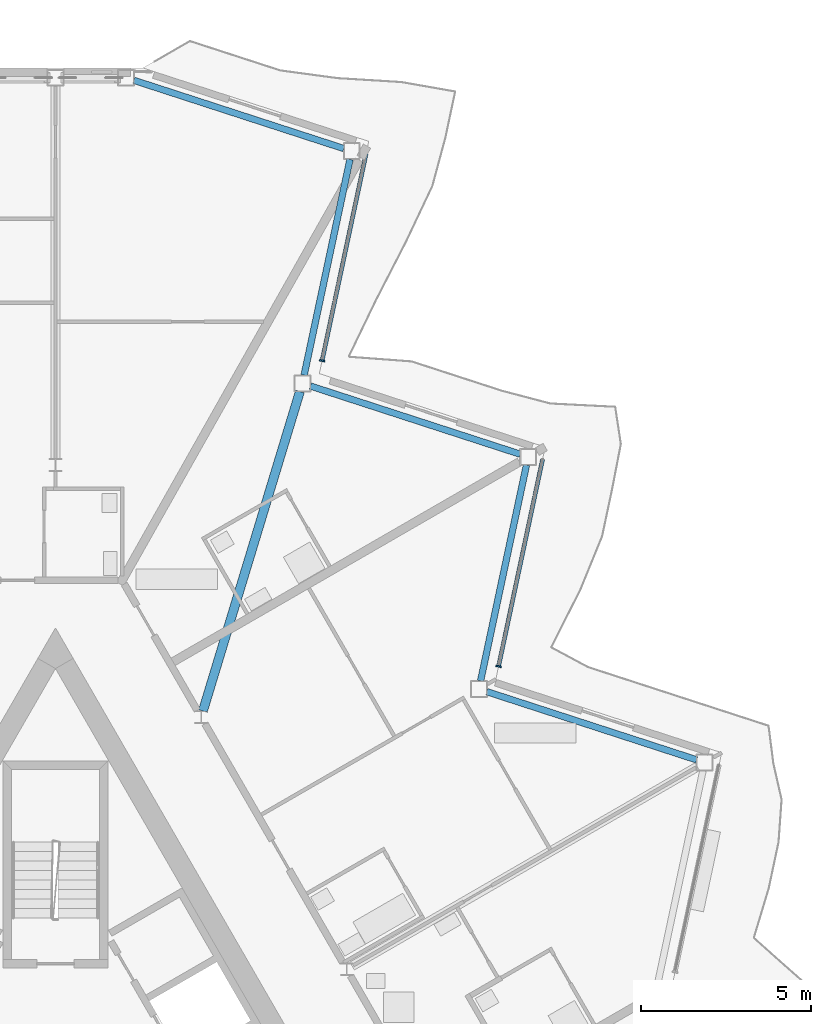
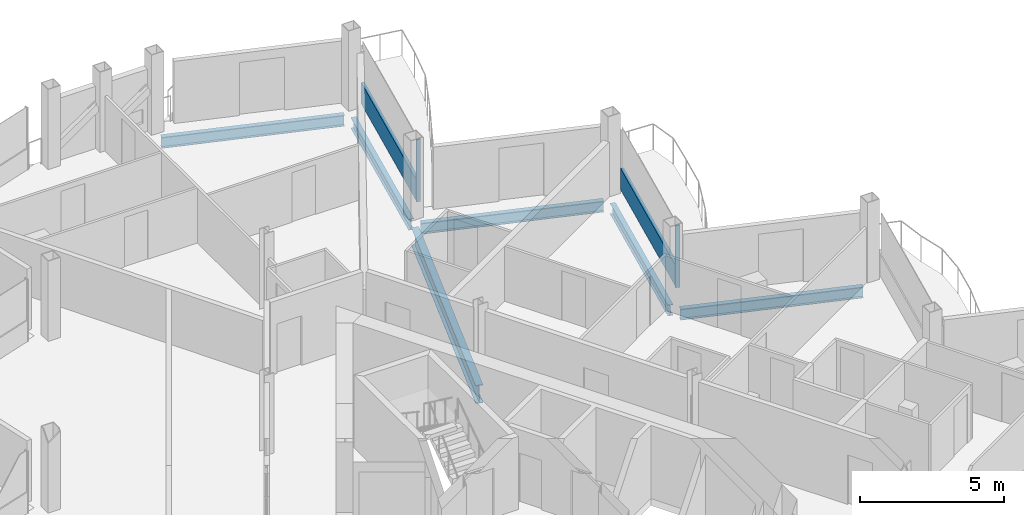
# One storey, part 10 of 26: 6 beams, 4 members, 2 elements without a shape of their own.
"""IFC4 building model written with IfcOpenShell, lengths in metres."""

import ifcopenshell
import ifcopenshell.guid

model = None  # the IFC model being written
_history = None  # IfcOwnerHistory: only IFC2X3 demands one
_inside = {}  # id of a spatial element -> (the spatial element, [elements in it])
_under = {}  # id of a project, library or spatial element -> (it, [spatial elements below it])
_declared = {}  # id of a project -> (the project, [libraries it declares])
_typed = {}  # id of a type object -> (the type object, [elements of that type])
_made_of = {}  # id of a material, layer set ... -> (it, [elements and type objects made of it])


def new_model(schema):
    """Start an empty IFC model of exactly this schema.

    Asked for "IFC4X3", IfcOpenShell would pick the latest addendum, in which some entities
    have other attributes; the version numbers below select the first issue.
    IFC2X3 requires an IfcOwnerHistory on every rooted entity: one is made here for all.
    """
    global model, _history
    if schema == "IFC4X3":
        model = ifcopenshell.file(schema_version=(4, 3, 0, 0))
    else:
        model = ifcopenshell.file(schema=schema)
    _inside.clear()
    _under.clear()
    _declared.clear()
    _typed.clear()
    _made_of.clear()
    _history = None
    if model.schema == "IFC2X3":
        org = make("IfcOrganization", Name="unknown")
        user = make(
            "IfcPersonAndOrganization",
            ThePerson=make("IfcPerson", FamilyName="unknown"),
            TheOrganization=org,
        )
        app = make(
            "IfcApplication",
            ApplicationDeveloper=org,
            Version="unknown",
            ApplicationFullName="unknown",
            ApplicationIdentifier="unknown",
        )
        _history = make(
            "IfcOwnerHistory",
            OwningUser=user,
            OwningApplication=app,
            ChangeAction="ADDED",
            CreationDate=0,
        )
    return model


def make(cls, **values):
    """One entity of the class cls with the attributes given. An attribute that is None is left unset."""
    return model.create_entity(
        cls, **{name: value for name, value in values.items() if value is not None}
    )


def rooted(cls, **values):
    """An entity with a GlobalId (a new one), such as an element, a storey or a relation."""
    return make(cls, GlobalId=ifcopenshell.guid.new(), OwnerHistory=_history, **values)


def si_unit(unit_type, name, prefix=None):
    """IfcSIUnit, for example si_unit("LENGTHUNIT", "METRE", prefix="MILLI")."""
    return make("IfcSIUnit", UnitType=unit_type, Prefix=prefix, Name=name)


def assignment(units):
    """IfcUnitAssignment: the units of a project."""
    return None if units is None else make("IfcUnitAssignment", Units=units)


def point(xyz):
    """IfcCartesianPoint."""
    return None if xyz is None else make("IfcCartesianPoint", Coordinates=xyz)


def direction(xyz):
    """IfcDirection."""
    return None if xyz is None else make("IfcDirection", DirectionRatios=xyz)


def frame(location, z_axis=None, x_axis=None):
    """IfcAxis2Placement3D, a coordinate frame: its origin and axes. An axis left out is left unset."""
    return make(
        "IfcAxis2Placement3D",
        Location=point(location),
        Axis=direction(z_axis),
        RefDirection=direction(x_axis),
    )


def frame_2d(location, x_axis=None):
    """IfcAxis2Placement2D, a coordinate frame in the plane: its origin and x axis."""
    return make(
        "IfcAxis2Placement2D", Location=point(location), RefDirection=direction(x_axis)
    )


def origin():
    """The frame at (0, 0, 0) with its axes left unset."""
    return frame((0.0, 0.0, 0.0))


def origin_2d():
    """The frame at (0, 0) in the plane with its x axis left unset."""
    return frame_2d((0.0, 0.0))


def place(relative_to, where):
    """IfcLocalPlacement: puts the frame where relative to a parent placement (None: the world)."""
    return make(
        "IfcLocalPlacement", PlacementRelTo=relative_to, RelativePlacement=where
    )


def context(
    kind, dimensions, precision=None, world=None, true_north=None, identifier=None
):
    """IfcGeometricRepresentationContext, for example the 3D "Model" context."""
    return make(
        "IfcGeometricRepresentationContext",
        ContextIdentifier=identifier,
        ContextType=kind,
        CoordinateSpaceDimension=dimensions,
        Precision=precision,
        WorldCoordinateSystem=world,
        TrueNorth=true_north,
    )


def subcontext(parent, identifier, kind, view, scale=None):
    """IfcGeometricRepresentationSubContext, for example "Body" below "Model"."""
    return make(
        "IfcGeometricRepresentationSubContext",
        ContextIdentifier=identifier,
        ContextType=kind,
        ParentContext=parent,
        TargetScale=scale,
        TargetView=view,
    )


def project(units=None, contexts=None):
    """IfcProject with its units and contexts."""
    return rooted(
        "IfcProject",
        Name="project",
        RepresentationContexts=contexts,
        UnitsInContext=assignment(units),
    )


def spatial(cls, under=None, at=None, **own):
    """A site, building, storey or space (cls), placed at a placement, below another one or the project."""
    s = rooted(cls, ObjectPlacement=at, **own)
    if under is not None:
        _under.setdefault(under.id(), (under, []))[1].append(s)
    return s


def profile(cls, at=None, kind="AREA", **sizes):
    """A parametric profile (cls). Its sizes go by their IFC names, for example OverallWidth=200.0."""
    return make(cls, ProfileType=kind, Position=at, **sizes)


def rectangle(**sizes):
    """IfcRectangleProfileDef."""
    return profile("IfcRectangleProfileDef", **sizes)


def i_section(**sizes):
    """IfcIShapeProfileDef."""
    return profile("IfcIShapeProfileDef", **sizes)


def extrude(swept, where, along, depth):
    """IfcExtrudedAreaSolid: the profile swept, set in the frame where, extruded along a direction by depth."""
    return make(
        "IfcExtrudedAreaSolid",
        SweptArea=swept,
        Position=where,
        ExtrudedDirection=direction(along),
        Depth=depth,
    )


def shape(context_of_items, identifier, shape_type, items):
    """IfcShapeRepresentation: the items that make up one representation, for example the "Body"."""
    return make(
        "IfcShapeRepresentation",
        ContextOfItems=context_of_items,
        RepresentationIdentifier=identifier,
        RepresentationType=shape_type,
        Items=items,
    )


def material(Name=None, Category=None):
    """IfcMaterial."""
    return make("IfcMaterial", Name=Name, Category=Category)


def layer(
    of_material, thickness, ventilated=None, Name=None, Category=None, Priority=None
):
    """IfcMaterialLayer: one layer of a wall or slab, of a material (None: an air gap)."""
    return make(
        "IfcMaterialLayer",
        Material=of_material,
        LayerThickness=thickness,
        IsVentilated=ventilated,
        Name=Name,
        Category=Category,
        Priority=Priority,
    )


def layer_set(layers, Name=None):
    """IfcMaterialLayerSet."""
    return make("IfcMaterialLayerSet", MaterialLayers=layers, LayerSetName=Name)


def material_profile(
    of_material, cross_section, Name=None, Category=None, Priority=None
):
    """IfcMaterialProfile: a cross section and its material."""
    return make(
        "IfcMaterialProfile",
        Name=Name,
        Material=of_material,
        Profile=cross_section,
        Priority=Priority,
        Category=Category,
    )


def profile_set(profiles, Name=None, composite=None):
    """IfcMaterialProfileSet."""
    return make(
        "IfcMaterialProfileSet",
        Name=Name,
        MaterialProfiles=profiles,
        CompositeProfile=composite,
    )


def made_of(thing, what):
    """Note that an element or type object is made of a material, layer set ...; save() writes the relation."""
    if what is not None:
        _made_of.setdefault(what.id(), (what, []))[1].append(thing)
    return thing


def type_object(cls, material=None, **own):
    """A type object (cls), such as IfcWallType, which elements share."""
    return made_of(rooted(cls, **own), material)


def element(
    cls,
    number,
    at=None,
    inside=None,
    cuts=None,
    type_object=None,
    material=None,
    context=None,
    identifier="Body",
    shape_type=None,
    held_by="IfcProductDefinitionShape",
    body=None,
    shapes=None,
    **own,
):
    """One element of the class cls, such as IfcWall. Its Tag is "e" and its number.

    at: its placement. inside: the storey or other place that contains it. cuts: it is an
    opening in that element (IfcRelVoidsElement). A single representation is given by context,
    identifier, shape_type and body (its items); several are given by shapes. held_by: the class
    of the entity that holds the representations. save() writes the other relations.
    """
    e = rooted(cls, Tag="e%d" % number, ObjectPlacement=at, **own)
    if body is not None:
        shapes = [shape(context, identifier, shape_type, body)]
    if shapes is not None:
        e.Representation = make(held_by, Representations=shapes)
    if inside is not None:
        _inside.setdefault(inside.id(), (inside, []))[1].append(e)
    if cuts is not None:
        rooted(
            "IfcRelVoidsElement", RelatingBuildingElement=cuts, RelatedOpeningElement=e
        )
    if type_object is not None:
        _typed.setdefault(type_object.id(), (type_object, []))[1].append(e)
    return made_of(e, material)


def aggregate(whole, parts):
    """IfcRelAggregates: a whole, such as a stair, and the parts it consists of."""
    return rooted("IfcRelAggregates", RelatingObject=whole, RelatedObjects=parts)


def save(model, path):
    """Write the relations noted so far, then the file.

    IfcRelAggregates (storeys below a building ...), IfcRelContainedInSpatialStructure (elements
    in a storey), IfcRelDefinesByType, IfcRelAssociatesMaterial and IfcRelDeclares: one each for
    every whole, place, type object, material and project.
    """
    for whole, parts in _under.values():
        aggregate(whole, parts)
    for where, things in _inside.values():
        rooted(
            "IfcRelContainedInSpatialStructure",
            RelatedElements=things,
            RelatingStructure=where,
        )
    for kind, things in _typed.values():
        rooted("IfcRelDefinesByType", RelatedObjects=things, RelatingType=kind)
    for what, things in _made_of.values():
        rooted("IfcRelAssociatesMaterial", RelatedObjects=things, RelatingMaterial=what)
    for by, libraries in _declared.values():
        rooted("IfcRelDeclares", RelatingContext=by, RelatedDefinitions=libraries)
    model.write(path)


model = new_model("IFC4")

# Units and contexts
model_context = context("Model", 3, precision=1e-05, world=origin(), true_north=direction((0.0, 1.0)))
body_context = subcontext(model_context, "Body", "Model", "MODEL_VIEW")
ifc_project = project(units=[si_unit("LENGTHUNIT", "METRE"), si_unit("AREAUNIT", "SQUARE_METRE"), si_unit("VOLUMEUNIT", "CUBIC_METRE"), si_unit("PLANEANGLEUNIT", "RADIAN"), si_unit("MASSUNIT", "GRAM", prefix="KILO")], contexts=[model_context])

# Site, building, storey
site_placement = place(None, origin())
site = spatial("IfcSite", under=ifc_project, at=site_placement, CompositionType="ELEMENT")
building_placement = place(site_placement, origin())
building = spatial("IfcBuilding", under=site, at=building_placement, Name="Cormorant Prow Tower", CompositionType="ELEMENT")
storey_placement = place(building_placement, frame((0.0, 0.0, 374.60009765625)))
storey = spatial("IfcBuildingStorey", under=building, at=storey_placement, Name="L84", CompositionType="ELEMENT", Elevation=374.60009765625)

# Beam
ifc_material_1 = material(Name="Structural steel ASTM A992 Gr 50", Category="steel")
ifc_material_profile_1 = material_profile(ifc_material_1, i_section(OverallWidth=0.267822265625, OverallDepth=0.77001953125, WebThickness=0.015625, FlangeThickness=0.025390625, at=origin_2d()), Name="W30x132")
ifc_profile_set_1 = profile_set([ifc_material_profile_1], Name="Structural steel ASTM A992 Gr 50")
beam_type_1 = type_object("IfcBeamType", Name="Radial floor beam W30x132", PredefinedType="BEAM", material=ifc_profile_set_1)
beam_1_placement = place(storey_placement, frame((4.343505859375, 12.560791015625, -0.68505859375), z_axis=(0.290499864147, 0.956875033079, 0.0), x_axis=(-0.956875033079, 0.290499864147, 0.0)))
element("IfcBeam", 1, at=beam_1_placement, inside=storey, type_object=beam_type_1, Name="Radial floor beam FB3 12 L84", PredefinedType="BEAM", context=body_context, shape_type="SweptSolid", body=[
    extrude(i_section(OverallWidth=0.267822265625, OverallDepth=0.77001953125, WebThickness=0.015625, FlangeThickness=0.025390625, at=origin_2d()), origin(), (0.0, 0.0, 1.0), 9.837158203125),
])

# Curtain wall, member
ifc_material_2 = material(Name="Aluminium 6063-T6", Category="aluminium")
ifc_layer = layer(ifc_material_2, 0.159912109375)
ifc_layer_set = layer_set([ifc_layer], Name="Aluminium 6063-T6")
curtain_wall_type = type_object("IfcCurtainWallType", Name="Residential unitised curtain wall 160", PredefinedType="NOTDEFINED", material=ifc_layer_set)
curtain_wall_1_placement = place(storey_placement, origin())
curtain_wall_1 = element("IfcCurtainWall", 2, at=curtain_wall_1_placement, inside=storey, type_object=curtain_wall_type, Name="Residential curtain wall ENE06", PredefinedType="NOTDEFINED")
ifc_material_3 = material(Name="Aluminium 6063-T6", Category="aluminium")
ifc_material_profile_2 = material_profile(ifc_material_3, rectangle(XDim=0.159912109375, YDim=0.050048828125, at=origin_2d()), Name="Residential mullion 50x160")
ifc_profile_set_2 = profile_set([ifc_material_profile_2], Name="Aluminium 6063-T6")
member_type_1 = type_object("IfcMemberType", Name="Residential mullion 50x160", PredefinedType="MULLION", material=ifc_profile_set_2)
member_1_placement = place(storey_placement, frame((13.055419921875, 13.87744140625, 0.0), z_axis=(0.0, 0.0, 1.0), x_axis=(-0.978147615768, 0.207911620089, 0.0)))
member_1 = element("IfcMember", 3, at=member_1_placement, type_object=member_type_1, Name="Residential mullion ENE06", PredefinedType="MULLION", context=body_context, shape_type="SweptSolid", body=[
    extrude(rectangle(XDim=0.159912109375, YDim=0.050048828125, at=origin_2d()), origin(), (0.0, 0.0, 1.0), 2.6337890625),
])

curtain_wall_2_placement = place(storey_placement, origin())
curtain_wall_2 = element("IfcCurtainWall", 4, at=curtain_wall_2_placement, inside=storey, type_object=curtain_wall_type, Name="Residential curtain wall ENE08", PredefinedType="NOTDEFINED")
member_2_placement = place(storey_placement, frame((7.85546875, 22.88427734375, 0.0), z_axis=(0.0, 0.0, 1.0), x_axis=(-0.978147609588, 0.207911649162, 0.0)))
member_2 = element("IfcMember", 5, at=member_2_placement, type_object=member_type_1, Name="Residential mullion ENE08", PredefinedType="MULLION", context=body_context, shape_type="SweptSolid", body=[
    extrude(rectangle(XDim=0.159912109375, YDim=0.050048828125, at=origin_2d()), origin(), (0.0, 0.0, 1.0), 2.6337890625),
])

# Member
ifc_material_4 = material(Name="Terracotta", Category="masonry")
ifc_material_profile_3 = material_profile(ifc_material_4, rectangle(XDim=0.1201171875, YDim=0.89990234375, at=origin_2d()), Name="Residential terracotta spandrel rail 120x900")
ifc_profile_set_3 = profile_set([ifc_material_profile_3], Name="Terracotta")
member_type_2 = type_object("IfcMemberType", Name="Residential terracotta spandrel rail 120x900", PredefinedType="USERDEFINED", material=ifc_profile_set_3)
member_3_placement = place(storey_placement, frame((13.060546875, 13.902099609375, 0.449951171875), z_axis=(0.207916541247, 0.978146569731, 0.0), x_axis=(-0.978146569731, 0.207916541247, 0.0)))
member_3 = element("IfcMember", 6, at=member_3_placement, type_object=member_type_2, Name="Residential spandrel rail ENE06", ObjectType="TRANSOM", PredefinedType="USERDEFINED", context=body_context, shape_type="SweptSolid", body=[
    extrude(rectangle(XDim=0.1201171875, YDim=0.89990234375, at=origin_2d()), origin(), (0.0, 0.0, 1.0), 6.215087890625),
])

aggregate(curtain_wall_1, [member_1, member_3])

member_4_placement = place(storey_placement, frame((7.860595703125, 22.90869140625, 0.449951171875), z_axis=(0.207916541247, 0.978146569731, 0.0), x_axis=(-0.978146569731, 0.207916541247, 0.0)))
member_4 = element("IfcMember", 7, at=member_4_placement, type_object=member_type_2, Name="Residential spandrel rail ENE08", ObjectType="TRANSOM", PredefinedType="USERDEFINED", context=body_context, shape_type="SweptSolid", body=[
    extrude(rectangle(XDim=0.1201171875, YDim=0.89990234375, at=origin_2d()), origin(), (0.0, 0.0, 1.0), 6.215087890625),
])

aggregate(curtain_wall_2, [member_2, member_4])

# Beams
ifc_material_5 = material(Name="Structural steel ASTM A992 Gr 50", Category="steel")
ifc_material_profile_4 = material_profile(ifc_material_5, i_section(OverallWidth=0.19287109375, OverallDepth=0.466064453125, WebThickness=0.011474609375, FlangeThickness=0.01904296875, at=origin_2d()), Name="W18x65")
ifc_profile_set_4 = profile_set([ifc_material_profile_4], Name="Structural steel ASTM A992 Gr 50")
beam_type_2 = type_object("IfcBeamType", Name="Spandrel beam W18x65", PredefinedType="SPANDREL", material=ifc_profile_set_4)
beam_2_placement = place(storey_placement, frame((18.890869140625, 11.12109375, -0.533203125), z_axis=(-0.951053396625, 0.309026595569, 0.0), x_axis=(-0.309026595569, -0.951053396625, 0.0)))
element("IfcBeam", 8, at=beam_2_placement, inside=storey, type_object=beam_type_2, Name="Spandrel beam SB4 ENE05-ENE06 L84", PredefinedType="SPANDREL", context=body_context, shape_type="SweptSolid", body=[
    extrude(i_section(OverallWidth=0.19287109375, OverallDepth=0.466064453125, WebThickness=0.011474609375, FlangeThickness=0.01904296875, at=origin_2d()), origin(), (0.0, 0.0, 1.0), 6.497314453125),
])
beam_3_placement = place(storey_placement, frame((12.52587890625, 13.45068359375, -0.533203125), z_axis=(0.207901897373, 0.978149682344, 0.0), x_axis=(-0.978149682344, 0.207901897373, 0.0)))
element("IfcBeam", 9, at=beam_3_placement, inside=storey, type_object=beam_type_2, Name="Spandrel beam SB4 ENE06-ENE07 L84", PredefinedType="SPANDREL", context=body_context, shape_type="SweptSolid", body=[
    extrude(i_section(OverallWidth=0.19287109375, OverallDepth=0.466064453125, WebThickness=0.011474609375, FlangeThickness=0.01904296875, at=origin_2d()), origin(), (0.0, 0.0, 1.0), 6.49755859375),
])
beam_4_placement = place(storey_placement, frame((13.69091796875, 20.1279296875, -0.533203125), z_axis=(-0.951068027308, 0.308981564875, 0.0), x_axis=(-0.308981564875, -0.951068027308, 0.0)))
element("IfcBeam", 10, at=beam_4_placement, inside=storey, type_object=beam_type_2, Name="Spandrel beam SB4 ENE07-ENE08 L84", PredefinedType="SPANDREL", context=body_context, shape_type="SweptSolid", body=[
    extrude(i_section(OverallWidth=0.19287109375, OverallDepth=0.466064453125, WebThickness=0.011474609375, FlangeThickness=0.01904296875, at=origin_2d()), origin(), (0.0, 0.0, 1.0), 6.497314453125),
])
for number, where, z_axis, x_axis, name in (
    (11, (7.32568359375, 22.457275390625, -0.533203125), (0.20793784774, 0.978142040543, 0.0), (-0.978142040543, 0.20793784774, 0.0), "Spandrel beam SB4 ENE08-ENE09 L84"),
    (12, (8.490966796875, 29.134521484375, -0.533203125), (-0.951056984862, 0.30901555227, 0.0), (-0.30901555227, -0.951056984862, 0.0), "Spandrel beam SB4 ENE09-N00 L84"),
):
    element("IfcBeam", number, at=place(storey_placement, frame(where, z_axis=z_axis, x_axis=x_axis)), inside=storey, type_object=beam_type_2, Name=name, PredefinedType="SPANDREL", context=body_context, shape_type="SweptSolid", body=[
        extrude(i_section(OverallWidth=0.19287109375, OverallDepth=0.466064453125, WebThickness=0.011474609375, FlangeThickness=0.01904296875, at=origin_2d()), origin(), (0.0, 0.0, 1.0), 6.49755859375),
    ])

save(model, "model.ifc")
